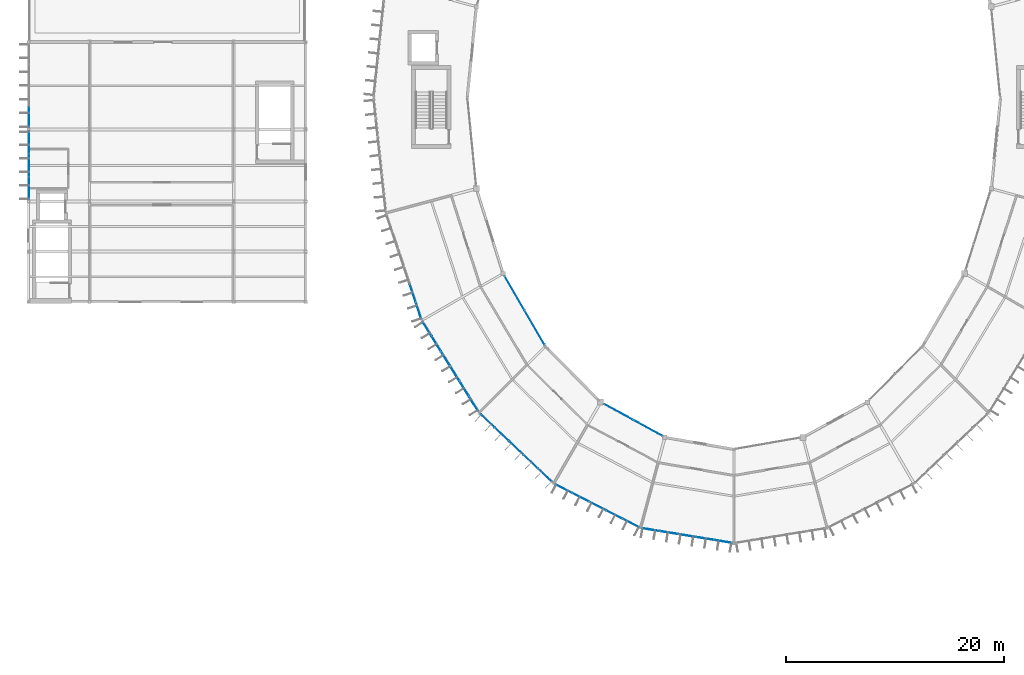
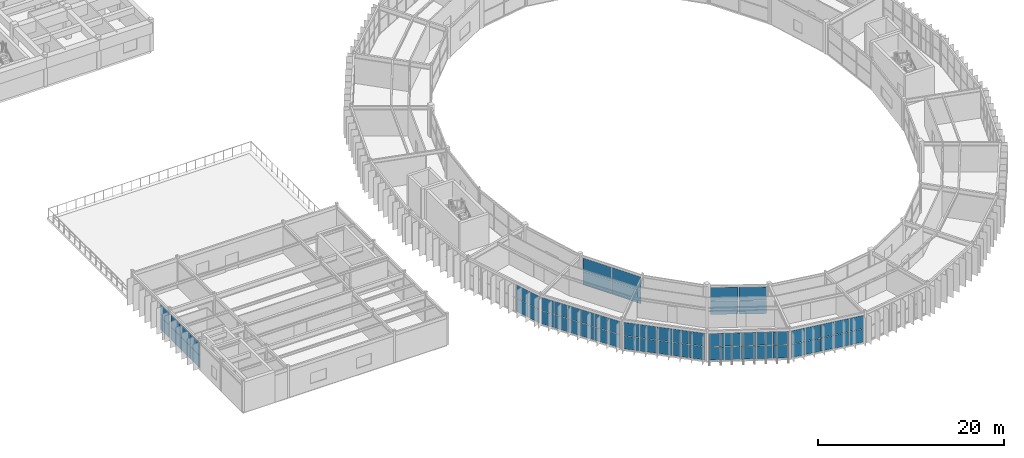
# One storey, part 89 of 130: 62 plates, 9 elements without a shape of their own.
"""IFC4 building model written with IfcOpenShell, lengths in metres."""

from ifc_helpers import new_model, si_unit, direction, frame, origin, origin_2d, place, context, subcontext, project, spatial, rectangle, extrude, material, layer, layer_set, type_object, element, aggregate, save


model = new_model("IFC4")

# Units and contexts
model_context = context("Model", 3, precision=1e-05, world=origin(), true_north=direction((0.0, 1.0)))
body_context = subcontext(model_context, "Body", "Model", "MODEL_VIEW")
ifc_project = project(units=[si_unit("LENGTHUNIT", "METRE"), si_unit("AREAUNIT", "SQUARE_METRE"), si_unit("VOLUMEUNIT", "CUBIC_METRE"), si_unit("PLANEANGLEUNIT", "RADIAN"), si_unit("MASSUNIT", "GRAM", prefix="KILO")], contexts=[model_context])

# Site, building, storey
site_placement = place(None, origin())
site = spatial("IfcSite", under=ifc_project, at=site_placement, CompositionType="ELEMENT")
building_placement = place(site_placement, origin())
building = spatial("IfcBuilding", under=site, at=building_placement, Name="Karori Crest Natural Sciences Institute", CompositionType="ELEMENT")
storey_placement = place(building_placement, frame((0.0, 0.0, 17.5)))
storey = spatial("IfcBuildingStorey", under=building, at=storey_placement, Name="L04", CompositionType="ELEMENT", Elevation=17.5)

# Curtain wall, plates
ifc_material_1 = material(Name="Anodised architectural aluminium 6063-T6", Category="aluminium")
curtain_wall_type_1 = type_object("IfcCurtainWallType", Name="CWT-15", PredefinedType="NOTDEFINED", material=ifc_material_1)
curtain_wall_1_placement = place(storey_placement, origin())
curtain_wall_1 = element("IfcCurtainWall", 1, at=curtain_wall_1_placement, inside=storey, type_object=curtain_wall_type_1, Name="Curtain wall CW-0158", PredefinedType="NOTDEFINED")
ifc_material_2 = material(Name="Double low-E laminated glass", Category="glass")
ifc_layer_1 = layer(ifc_material_2, 0.02392578125, Name="Double low-E laminated glass")
ifc_layer_set_1 = layer_set([ifc_layer_1], Name="Double low-E laminated glass")
plate_type_1 = type_object("IfcPlateType", Name="CWP-01", PredefinedType="CURTAIN_PANEL", material=ifc_layer_set_1)
plate_1_placement = place(storey_placement, frame((46.318115234375, 31.995849609375, 0.06005859375), z_axis=(0.0, 0.0, 1.0), x_axis=(0.502654910341, -0.864487154971, 0.0)))
plate_1 = element("IfcPlate", 2, at=plate_1_placement, type_object=plate_type_1, Name="CW-0158 panel 1.1", PredefinedType="CURTAIN_PANEL", context=body_context, shape_type="SweptSolid", body=[
    extrude(rectangle(XDim=3.585205078125, YDim=0.02392578125, at=origin_2d()), origin(), (0.0, 0.0, 1.0), 1.735107421875),
])
plate_2_placement = place(storey_placement, frame((46.318115234375, 31.995849609375, 1.85498046875), z_axis=(0.0, 0.0, 1.0), x_axis=(0.502654910341, -0.864487154971, 0.0)))
plate_2 = element("IfcPlate", 3, at=plate_2_placement, type_object=plate_type_1, Name="CW-0158 panel 1.2", PredefinedType="CURTAIN_PANEL", context=body_context, shape_type="SweptSolid", body=[
    extrude(rectangle(XDim=3.585205078125, YDim=0.02392578125, at=origin_2d()), origin(), (0.0, 0.0, 1.0), 1.735107421875),
])
plate_3_placement = place(storey_placement, frame((48.15283203125, 28.84033203125, 0.06005859375), z_axis=(0.0, 0.0, 1.0), x_axis=(0.502654910341, -0.864487154971, 0.0)))
plate_3 = element("IfcPlate", 4, at=plate_3_placement, type_object=plate_type_1, Name="CW-0158 panel 2.1", PredefinedType="CURTAIN_PANEL", context=body_context, shape_type="SweptSolid", body=[
    extrude(rectangle(XDim=3.585205078125, YDim=0.02392578125, at=origin_2d()), origin(), (0.0, 0.0, 1.0), 1.735107421875),
])
plate_4_placement = place(storey_placement, frame((48.15283203125, 28.84033203125, 1.85498046875), z_axis=(0.0, 0.0, 1.0), x_axis=(0.502654910341, -0.864487154971, 0.0)))
plate_4 = element("IfcPlate", 5, at=plate_4_placement, type_object=plate_type_1, Name="CW-0158 panel 2.2", PredefinedType="CURTAIN_PANEL", context=body_context, shape_type="SweptSolid", body=[
    extrude(rectangle(XDim=3.585205078125, YDim=0.02392578125, at=origin_2d()), origin(), (0.0, 0.0, 1.0), 1.735107421875),
])
aggregate(curtain_wall_1, [plate_1, plate_2, plate_3, plate_4])

curtain_wall_type_2 = type_object("IfcCurtainWallType", Name="CWT-06", PredefinedType="NOTDEFINED", material=ifc_material_1)
curtain_wall_2_placement = place(storey_placement, origin())
curtain_wall_2 = element("IfcCurtainWall", 6, at=curtain_wall_2_placement, inside=storey, type_object=curtain_wall_type_2, Name="Curtain wall CW-0159", PredefinedType="NOTDEFINED")
plate_5_placement = place(storey_placement, frame((49.1044921875, 15.321044921875, 0.06005859375), z_axis=(0.0, 0.0, 1.0), x_axis=(-0.725471459192, 0.688252251648, 0.0)))
plate_5 = element("IfcPlate", 7, at=plate_5_placement, type_object=plate_type_1, Name="CW-0159 panel 1.1", PredefinedType="CURTAIN_PANEL", context=body_context, shape_type="SweptSolid", body=[
    extrude(rectangle(XDim=1.717041015625, YDim=0.02392578125, at=origin_2d()), origin(), (0.0, 0.0, 1.0), 1.722412109375),
])
plate_6_placement = place(storey_placement, frame((49.1044921875, 15.321044921875, 1.8427734375), z_axis=(0.0, 0.0, 1.0), x_axis=(-0.725471459192, 0.688252251648, 0.0)))
plate_6 = element("IfcPlate", 8, at=plate_6_placement, type_object=plate_type_1, Name="CW-0159 panel 1.2", PredefinedType="CURTAIN_PANEL", context=body_context, shape_type="SweptSolid", body=[
    extrude(rectangle(XDim=1.717041015625, YDim=0.02392578125, at=origin_2d()), origin(), (0.0, 0.0, 1.0), 1.722412109375),
])
plate_7_placement = place(storey_placement, frame((47.799560546875, 16.55859375, 0.06005859375), z_axis=(0.0, 0.0, 1.0), x_axis=(-0.725471459192, 0.688252251648, 0.0)))
plate_7 = element("IfcPlate", 9, at=plate_7_placement, type_object=plate_type_1, Name="CW-0159 panel 2.1", PredefinedType="CURTAIN_PANEL", context=body_context, shape_type="SweptSolid", body=[
    extrude(rectangle(XDim=1.749755859375, YDim=0.02392578125, at=origin_2d()), origin(), (0.0, 0.0, 1.0), 1.722412109375),
])
plate_8_placement = place(storey_placement, frame((47.799560546875, 16.55859375, 1.8427734375), z_axis=(0.0, 0.0, 1.0), x_axis=(-0.725471459192, 0.688252251648, 0.0)))
plate_8 = element("IfcPlate", 10, at=plate_8_placement, type_object=plate_type_1, Name="CW-0159 panel 2.2", PredefinedType="CURTAIN_PANEL", context=body_context, shape_type="SweptSolid", body=[
    extrude(rectangle(XDim=1.749755859375, YDim=0.02392578125, at=origin_2d()), origin(), (0.0, 0.0, 1.0), 1.722412109375),
])
plate_9_placement = place(storey_placement, frame((46.483154296875, 17.8076171875, 0.06005859375), z_axis=(0.0, 0.0, 1.0), x_axis=(-0.725471459192, 0.688252251648, 0.0)))
plate_9 = element("IfcPlate", 11, at=plate_9_placement, type_object=plate_type_1, Name="CW-0159 panel 3.1", PredefinedType="CURTAIN_PANEL", context=body_context, shape_type="SweptSolid", body=[
    extrude(rectangle(XDim=1.749755859375, YDim=0.02392578125, at=origin_2d()), origin(), (0.0, 0.0, 1.0), 1.722412109375),
])
plate_10_placement = place(storey_placement, frame((46.483154296875, 17.8076171875, 1.8427734375), z_axis=(0.0, 0.0, 1.0), x_axis=(-0.725471459192, 0.688252251648, 0.0)))
plate_10 = element("IfcPlate", 12, at=plate_10_placement, type_object=plate_type_1, Name="CW-0159 panel 3.2", PredefinedType="CURTAIN_PANEL", context=body_context, shape_type="SweptSolid", body=[
    extrude(rectangle(XDim=1.749755859375, YDim=0.02392578125, at=origin_2d()), origin(), (0.0, 0.0, 1.0), 1.722412109375),
])
plate_11_placement = place(storey_placement, frame((45.166748046875, 19.056640625, 0.06005859375), z_axis=(0.0, 0.0, 1.0), x_axis=(-0.725471459192, 0.688252251648, 0.0)))
plate_11 = element("IfcPlate", 13, at=plate_11_placement, type_object=plate_type_1, Name="CW-0159 panel 4.1", PredefinedType="CURTAIN_PANEL", context=body_context, shape_type="SweptSolid", body=[
    extrude(rectangle(XDim=1.749755859375, YDim=0.02392578125, at=origin_2d()), origin(), (0.0, 0.0, 1.0), 1.722412109375),
])
plate_12_placement = place(storey_placement, frame((45.166748046875, 19.056640625, 1.8427734375), z_axis=(0.0, 0.0, 1.0), x_axis=(-0.725471459192, 0.688252251648, 0.0)))
plate_12 = element("IfcPlate", 14, at=plate_12_placement, type_object=plate_type_1, Name="CW-0159 panel 4.2", PredefinedType="CURTAIN_PANEL", context=body_context, shape_type="SweptSolid", body=[
    extrude(rectangle(XDim=1.749755859375, YDim=0.02392578125, at=origin_2d()), origin(), (0.0, 0.0, 1.0), 1.722412109375),
])
plate_13_placement = place(storey_placement, frame((43.862060546875, 20.29443359375, 0.06005859375), z_axis=(0.0, 0.0, 1.0), x_axis=(-0.725471459192, 0.688252251648, 0.0)))
plate_13 = element("IfcPlate", 15, at=plate_13_placement, type_object=plate_type_1, Name="CW-0159 panel 5.1", PredefinedType="CURTAIN_PANEL", context=body_context, shape_type="SweptSolid", body=[
    extrude(rectangle(XDim=1.717041015625, YDim=0.02392578125, at=origin_2d()), origin(), (0.0, 0.0, 1.0), 1.722412109375),
])
plate_14_placement = place(storey_placement, frame((43.862060546875, 20.29443359375, 1.8427734375), z_axis=(0.0, 0.0, 1.0), x_axis=(-0.725471459192, 0.688252251648, 0.0)))
plate_14 = element("IfcPlate", 16, at=plate_14_placement, type_object=plate_type_1, Name="CW-0159 panel 5.2", PredefinedType="CURTAIN_PANEL", context=body_context, shape_type="SweptSolid", body=[
    extrude(rectangle(XDim=1.717041015625, YDim=0.02392578125, at=origin_2d()), origin(), (0.0, 0.0, 1.0), 1.722412109375),
])
aggregate(curtain_wall_2, [plate_5, plate_6, plate_7, plate_8, plate_9, plate_10, plate_11, plate_12, plate_13, plate_14])

curtain_wall_type_3 = type_object("IfcCurtainWallType", Name="CWT-12", PredefinedType="NOTDEFINED", material=ifc_material_1)
curtain_wall_3_placement = place(storey_placement, origin())
curtain_wall_3 = element("IfcCurtainWall", 17, at=curtain_wall_3_placement, inside=storey, type_object=curtain_wall_type_3, Name="Curtain wall CW-0161", PredefinedType="NOTDEFINED")
plate_15_placement = place(storey_placement, frame((55.8408203125, 21.116943359375, 0.06005859375), z_axis=(0.0, 0.0, 1.0), x_axis=(0.877470277057, -0.479631017431, 0.0)))
plate_15 = element("IfcPlate", 18, at=plate_15_placement, type_object=plate_type_1, Name="CW-0161 panel 1.1", PredefinedType="CURTAIN_PANEL", context=body_context, shape_type="SweptSolid", body=[
    extrude(rectangle(XDim=2.987060546875, YDim=0.02392578125, at=origin_2d()), origin(), (0.0, 0.0, 1.0), 1.735107421875),
])
plate_16_placement = place(storey_placement, frame((55.8408203125, 21.116943359375, 1.85498046875), z_axis=(0.0, 0.0, 1.0), x_axis=(0.877470277057, -0.479631017431, 0.0)))
plate_16 = element("IfcPlate", 19, at=plate_16_placement, type_object=plate_type_1, Name="CW-0161 panel 1.2", PredefinedType="CURTAIN_PANEL", context=body_context, shape_type="SweptSolid", body=[
    extrude(rectangle(XDim=2.987060546875, YDim=0.02392578125, at=origin_2d()), origin(), (0.0, 0.0, 1.0), 1.735107421875),
])
plate_17_placement = place(storey_placement, frame((58.51904296875, 19.653076171875, 0.06005859375), z_axis=(0.0, 0.0, 1.0), x_axis=(0.877470277057, -0.479631017431, 0.0)))
plate_17 = element("IfcPlate", 20, at=plate_17_placement, type_object=plate_type_1, Name="CW-0161 panel 2.1", PredefinedType="CURTAIN_PANEL", context=body_context, shape_type="SweptSolid", body=[
    extrude(rectangle(XDim=2.987060546875, YDim=0.02392578125, at=origin_2d()), origin(), (0.0, 0.0, 1.0), 1.735107421875),
])
plate_18_placement = place(storey_placement, frame((58.51904296875, 19.653076171875, 1.85498046875), z_axis=(0.0, 0.0, 1.0), x_axis=(0.877470277057, -0.479631017431, 0.0)))
plate_18 = element("IfcPlate", 21, at=plate_18_placement, type_object=plate_type_1, Name="CW-0161 panel 2.2", PredefinedType="CURTAIN_PANEL", context=body_context, shape_type="SweptSolid", body=[
    extrude(rectangle(XDim=2.987060546875, YDim=0.02392578125, at=origin_2d()), origin(), (0.0, 0.0, 1.0), 1.735107421875),
])
aggregate(curtain_wall_3, [plate_15, plate_16, plate_17, plate_18])

curtain_wall_type_4 = type_object("IfcCurtainWallType", Name="CWT-17", PredefinedType="NOTDEFINED", material=ifc_material_1)
curtain_wall_4_placement = place(storey_placement, origin())
curtain_wall_4 = element("IfcCurtainWall", 22, at=curtain_wall_4_placement, inside=storey, type_object=curtain_wall_type_4, Name="Curtain wall CW-0286", PredefinedType="NOTDEFINED")
plate_19_placement = place(storey_placement, frame((1.860107421875, 41.59814453125, 0.06005859375), z_axis=(0.0, 0.0, 1.0), x_axis=(0.0, 1.0, 0.0)))
plate_19 = element("IfcPlate", 23, at=plate_19_placement, type_object=plate_type_1, Name="CW-0286 panel 1.1", PredefinedType="CURTAIN_PANEL", context=body_context, shape_type="SweptSolid", body=[
    extrude(rectangle(XDim=2.0205078125, YDim=0.02392578125, at=origin_2d()), origin(), (0.0, 0.0, 1.0), 1.632568359375),
])
plate_20_placement = place(storey_placement, frame((1.860107421875, 41.59814453125, 1.75244140625), z_axis=(0.0, 0.0, 1.0), x_axis=(0.0, 1.0, 0.0)))
plate_20 = element("IfcPlate", 24, at=plate_20_placement, type_object=plate_type_1, Name="CW-0286 panel 1.2", PredefinedType="CURTAIN_PANEL", context=body_context, shape_type="SweptSolid", body=[
    extrude(rectangle(XDim=2.0205078125, YDim=0.02392578125, at=origin_2d()), origin(), (0.0, 0.0, 1.0), 1.632568359375),
])
plate_21_placement = place(storey_placement, frame((1.860107421875, 43.699951171875, 0.06005859375), z_axis=(0.0, 0.0, 1.0), x_axis=(0.0, 1.0, 0.0)))
plate_21 = element("IfcPlate", 25, at=plate_21_placement, type_object=plate_type_1, Name="CW-0286 panel 2.1", PredefinedType="CURTAIN_PANEL", context=body_context, shape_type="SweptSolid", body=[
    extrude(rectangle(XDim=2.052978515625, YDim=0.02392578125, at=origin_2d()), origin(), (0.0, 0.0, 1.0), 1.632568359375),
])
plate_22_placement = place(storey_placement, frame((1.860107421875, 43.699951171875, 1.75244140625), z_axis=(0.0, 0.0, 1.0), x_axis=(0.0, 1.0, 0.0)))
plate_22 = element("IfcPlate", 26, at=plate_22_placement, type_object=plate_type_1, Name="CW-0286 panel 2.2", PredefinedType="CURTAIN_PANEL", context=body_context, shape_type="SweptSolid", body=[
    extrude(rectangle(XDim=2.052978515625, YDim=0.02392578125, at=origin_2d()), origin(), (0.0, 0.0, 1.0), 1.632568359375),
])
plate_23_placement = place(storey_placement, frame((1.860107421875, 45.8017578125, 0.06005859375), z_axis=(0.0, 0.0, 1.0), x_axis=(0.0, 1.0, 0.0)))
plate_23 = element("IfcPlate", 27, at=plate_23_placement, type_object=plate_type_1, Name="CW-0286 panel 3.1", PredefinedType="CURTAIN_PANEL", context=body_context, shape_type="SweptSolid", body=[
    extrude(rectangle(XDim=2.0205078125, YDim=0.02392578125, at=origin_2d()), origin(), (0.0, 0.0, 1.0), 1.632568359375),
])
plate_24_placement = place(storey_placement, frame((1.860107421875, 45.8017578125, 1.75244140625), z_axis=(0.0, 0.0, 1.0), x_axis=(0.0, 1.0, 0.0)))
plate_24 = element("IfcPlate", 28, at=plate_24_placement, type_object=plate_type_1, Name="CW-0286 panel 3.2", PredefinedType="CURTAIN_PANEL", context=body_context, shape_type="SweptSolid", body=[
    extrude(rectangle(XDim=2.0205078125, YDim=0.02392578125, at=origin_2d()), origin(), (0.0, 0.0, 1.0), 1.632568359375),
])
aggregate(curtain_wall_4, [plate_19, plate_20, plate_21, plate_22, plate_23, plate_24])

curtain_wall_5_placement = place(storey_placement, origin())
curtain_wall_5 = element("IfcCurtainWall", 29, at=curtain_wall_5_placement, inside=storey, type_object=curtain_wall_type_4, Name="Curtain wall CW-0287", PredefinedType="NOTDEFINED")
plate_25_placement = place(storey_placement, frame((1.860107421875, 48.1083984375, 0.06005859375), z_axis=(0.0, 0.0, 1.0), x_axis=(0.0, 1.0, 0.0)))
plate_25 = element("IfcPlate", 30, at=plate_25_placement, type_object=plate_type_1, Name="CW-0287 panel 1.1", PredefinedType="CURTAIN_PANEL", context=body_context, shape_type="SweptSolid", body=[
    extrude(rectangle(XDim=1.841064453125, YDim=0.02392578125, at=origin_2d()), origin(), (0.0, 0.0, 1.0), 1.632568359375),
])
plate_26_placement = place(storey_placement, frame((1.860107421875, 48.1083984375, 1.75244140625), z_axis=(0.0, 0.0, 1.0), x_axis=(0.0, 1.0, 0.0)))
plate_26 = element("IfcPlate", 31, at=plate_26_placement, type_object=plate_type_1, Name="CW-0287 panel 1.2", PredefinedType="CURTAIN_PANEL", context=body_context, shape_type="SweptSolid", body=[
    extrude(rectangle(XDim=1.841064453125, YDim=0.02392578125, at=origin_2d()), origin(), (0.0, 0.0, 1.0), 1.632568359375),
])
aggregate(curtain_wall_5, [plate_25, plate_26])

curtain_wall_type_5 = type_object("IfcCurtainWallType", Name="CWT-04", PredefinedType="NOTDEFINED", material=ifc_material_1)
curtain_wall_6_placement = place(storey_placement, origin())
curtain_wall_6 = element("IfcCurtainWall", 32, at=curtain_wall_6_placement, inside=storey, type_object=curtain_wall_type_5, Name="Curtain wall CW-0156", PredefinedType="NOTDEFINED")
ifc_layer_2 = layer(ifc_material_2, 0.033935546875, Name="Double low-E laminated glass")
ifc_layer_set_2 = layer_set([ifc_layer_2], Name="Double low-E laminated glass")
plate_type_2 = type_object("IfcPlateType", Name="CWP-02", PredefinedType="CURTAIN_PANEL", material=ifc_layer_set_2)
plate_27_placement = place(storey_placement, frame((37.5205078125, 30.3974609375, 0.06005859375), z_axis=(0.0, 0.0, 1.0), x_axis=(-0.317679803392, 0.94819805026, 0.0)))
plate_27 = element("IfcPlate", 33, at=plate_27_placement, type_object=plate_type_2, Name="CW-0156 panel 1.1", PredefinedType="CURTAIN_PANEL", context=body_context, shape_type="SweptSolid", body=[
    extrude(rectangle(XDim=1.59619140625, YDim=0.033935546875, at=origin_2d()), origin(), (0.0, 0.0, 1.0), 1.722412109375),
])
plate_28_placement = place(storey_placement, frame((37.5205078125, 30.3974609375, 1.8427734375), z_axis=(0.0, 0.0, 1.0), x_axis=(-0.317679803392, 0.94819805026, 0.0)))
plate_28 = element("IfcPlate", 34, at=plate_28_placement, type_object=plate_type_2, Name="CW-0156 panel 1.2", PredefinedType="CURTAIN_PANEL", context=body_context, shape_type="SweptSolid", body=[
    extrude(rectangle(XDim=1.59619140625, YDim=0.033935546875, at=origin_2d()), origin(), (0.0, 0.0, 1.0), 1.722412109375),
])
plate_29_placement = place(storey_placement, frame((36.987548828125, 31.988037109375, 0.06005859375), z_axis=(0.0, 0.0, 1.0), x_axis=(-0.317679803392, 0.94819805026, 0.0)))
plate_29 = element("IfcPlate", 35, at=plate_29_placement, type_object=plate_type_2, Name="CW-0156 panel 2.1", PredefinedType="CURTAIN_PANEL", context=body_context, shape_type="SweptSolid", body=[
    extrude(rectangle(XDim=1.628662109375, YDim=0.033935546875, at=origin_2d()), origin(), (0.0, 0.0, 1.0), 1.722412109375),
])
plate_30_placement = place(storey_placement, frame((36.987548828125, 31.988037109375, 1.8427734375), z_axis=(0.0, 0.0, 1.0), x_axis=(-0.317679803392, 0.94819805026, 0.0)))
plate_30 = element("IfcPlate", 36, at=plate_30_placement, type_object=plate_type_2, Name="CW-0156 panel 2.2", PredefinedType="CURTAIN_PANEL", context=body_context, shape_type="SweptSolid", body=[
    extrude(rectangle(XDim=1.628662109375, YDim=0.033935546875, at=origin_2d()), origin(), (0.0, 0.0, 1.0), 1.722412109375),
])
aggregate(curtain_wall_6, [plate_27, plate_28, plate_29, plate_30])

curtain_wall_type_6 = type_object("IfcCurtainWallType", Name="CWT-07", PredefinedType="NOTDEFINED", material=ifc_material_1)
curtain_wall_7_placement = place(storey_placement, origin())
curtain_wall_7 = element("IfcCurtainWall", 37, at=curtain_wall_7_placement, inside=storey, type_object=curtain_wall_type_6, Name="Curtain wall CW-0160", PredefinedType="NOTDEFINED")
plate_31_placement = place(storey_placement, frame((56.993408203125, 10.933349609375, 0.06494140625), z_axis=(0.0, 0.0, 1.0), x_axis=(-0.890067432138, 0.455828878252, 0.0)))
plate_31 = element("IfcPlate", 38, at=plate_31_placement, type_object=plate_type_2, Name="CW-0160 panel 1.1", PredefinedType="CURTAIN_PANEL", context=body_context, shape_type="SweptSolid", body=[
    extrude(rectangle(XDim=1.645751953125, YDim=0.033935546875, at=origin_2d()), origin(), (0.0, 0.0, 1.0), 1.715087890625),
])
plate_32_placement = place(storey_placement, frame((56.993408203125, 10.933349609375, 1.8447265625), z_axis=(0.0, 0.0, 1.0), x_axis=(-0.890067432138, 0.455828878252, 0.0)))
plate_32 = element("IfcPlate", 39, at=plate_32_placement, type_object=plate_type_2, Name="CW-0160 panel 1.2", PredefinedType="CURTAIN_PANEL", context=body_context, shape_type="SweptSolid", body=[
    extrude(rectangle(XDim=1.645751953125, YDim=0.033935546875, at=origin_2d()), origin(), (0.0, 0.0, 1.0), 1.715087890625),
])
plate_33_placement = place(storey_placement, frame((55.456298828125, 11.720703125, 0.06494140625), z_axis=(0.0, 0.0, 1.0), x_axis=(-0.890067432138, 0.455828878252, 0.0)))
plate_33 = element("IfcPlate", 40, at=plate_33_placement, type_object=plate_type_2, Name="CW-0160 panel 2.1", PredefinedType="CURTAIN_PANEL", context=body_context, shape_type="SweptSolid", body=[
    extrude(rectangle(XDim=1.678466796875, YDim=0.033935546875, at=origin_2d()), origin(), (0.0, 0.0, 1.0), 1.715087890625),
])
plate_34_placement = place(storey_placement, frame((55.456298828125, 11.720703125, 1.8447265625), z_axis=(0.0, 0.0, 1.0), x_axis=(-0.890067432138, 0.455828878252, 0.0)))
plate_34 = element("IfcPlate", 41, at=plate_34_placement, type_object=plate_type_2, Name="CW-0160 panel 2.2", PredefinedType="CURTAIN_PANEL", context=body_context, shape_type="SweptSolid", body=[
    extrude(rectangle(XDim=1.678466796875, YDim=0.033935546875, at=origin_2d()), origin(), (0.0, 0.0, 1.0), 1.715087890625),
])
plate_35_placement = place(storey_placement, frame((53.904541015625, 12.515380859375, 0.06494140625), z_axis=(0.0, 0.0, 1.0), x_axis=(-0.890067432138, 0.455828878252, 0.0)))
plate_35 = element("IfcPlate", 42, at=plate_35_placement, type_object=plate_type_2, Name="CW-0160 panel 3.1", PredefinedType="CURTAIN_PANEL", context=body_context, shape_type="SweptSolid", body=[
    extrude(rectangle(XDim=1.678466796875, YDim=0.033935546875, at=origin_2d()), origin(), (0.0, 0.0, 1.0), 1.715087890625),
])
plate_36_placement = place(storey_placement, frame((53.904541015625, 12.515380859375, 1.8447265625), z_axis=(0.0, 0.0, 1.0), x_axis=(-0.890067432138, 0.455828878252, 0.0)))
plate_36 = element("IfcPlate", 43, at=plate_36_placement, type_object=plate_type_2, Name="CW-0160 panel 3.2", PredefinedType="CURTAIN_PANEL", context=body_context, shape_type="SweptSolid", body=[
    extrude(rectangle(XDim=1.678466796875, YDim=0.033935546875, at=origin_2d()), origin(), (0.0, 0.0, 1.0), 1.715087890625),
])
plate_37_placement = place(storey_placement, frame((52.352783203125, 13.31005859375, 0.06494140625), z_axis=(0.0, 0.0, 1.0), x_axis=(-0.890067432138, 0.455828878252, 0.0)))
plate_37 = element("IfcPlate", 44, at=plate_37_placement, type_object=plate_type_2, Name="CW-0160 panel 4.1", PredefinedType="CURTAIN_PANEL", context=body_context, shape_type="SweptSolid", body=[
    extrude(rectangle(XDim=1.678466796875, YDim=0.033935546875, at=origin_2d()), origin(), (0.0, 0.0, 1.0), 1.715087890625),
])
plate_38_placement = place(storey_placement, frame((52.352783203125, 13.31005859375, 1.8447265625), z_axis=(0.0, 0.0, 1.0), x_axis=(-0.890067432138, 0.455828878252, 0.0)))
plate_38 = element("IfcPlate", 45, at=plate_38_placement, type_object=plate_type_2, Name="CW-0160 panel 4.2", PredefinedType="CURTAIN_PANEL", context=body_context, shape_type="SweptSolid", body=[
    extrude(rectangle(XDim=1.678466796875, YDim=0.033935546875, at=origin_2d()), origin(), (0.0, 0.0, 1.0), 1.715087890625),
])
plate_39_placement = place(storey_placement, frame((50.8154296875, 14.097412109375, 0.06494140625), z_axis=(0.0, 0.0, 1.0), x_axis=(-0.890067432138, 0.455828878252, 0.0)))
plate_39 = element("IfcPlate", 46, at=plate_39_placement, type_object=plate_type_2, Name="CW-0160 panel 5.1", PredefinedType="CURTAIN_PANEL", context=body_context, shape_type="SweptSolid", body=[
    extrude(rectangle(XDim=1.645751953125, YDim=0.033935546875, at=origin_2d()), origin(), (0.0, 0.0, 1.0), 1.715087890625),
])
plate_40_placement = place(storey_placement, frame((50.8154296875, 14.097412109375, 1.8447265625), z_axis=(0.0, 0.0, 1.0), x_axis=(-0.890067432138, 0.455828878252, 0.0)))
plate_40 = element("IfcPlate", 47, at=plate_40_placement, type_object=plate_type_2, Name="CW-0160 panel 5.2", PredefinedType="CURTAIN_PANEL", context=body_context, shape_type="SweptSolid", body=[
    extrude(rectangle(XDim=1.645751953125, YDim=0.033935546875, at=origin_2d()), origin(), (0.0, 0.0, 1.0), 1.715087890625),
])
aggregate(curtain_wall_7, [plate_31, plate_32, plate_33, plate_34, plate_35, plate_36, plate_37, plate_38, plate_39, plate_40])

curtain_wall_type_7 = type_object("IfcCurtainWallType", Name="CWT-05", PredefinedType="NOTDEFINED", material=ifc_material_1)
curtain_wall_8_placement = place(storey_placement, origin())
curtain_wall_8 = element("IfcCurtainWall", 48, at=curtain_wall_8_placement, inside=storey, type_object=curtain_wall_type_7, Name="Curtain wall CW-0157", PredefinedType="NOTDEFINED")
ifc_layer_3 = layer(ifc_material_2, 0.0439453125, Name="Double low-E laminated glass")
ifc_layer_set_3 = layer_set([ifc_layer_3], Name="Double low-E laminated glass")
plate_type_3 = type_object("IfcPlateType", Name="CWP-03", PredefinedType="CURTAIN_PANEL", material=ifc_layer_set_3)
plate_41_placement = place(storey_placement, frame((42.551025390625, 21.87890625, 0.06494140625), z_axis=(0.0, 0.0, 1.0), x_axis=(-0.527327706489, 0.849661985715, 0.0)))
plate_41 = element("IfcPlate", 49, at=plate_41_placement, type_object=plate_type_3, Name="CW-0157 panel 1.1", PredefinedType="CURTAIN_PANEL", context=body_context, shape_type="SweptSolid", body=[
    extrude(rectangle(XDim=1.519287109375, YDim=0.0439453125, at=origin_2d()), origin(), (0.0, 0.0, 1.0), 1.715087890625),
])
plate_42_placement = place(storey_placement, frame((42.551025390625, 21.87890625, 1.8447265625), z_axis=(0.0, 0.0, 1.0), x_axis=(-0.527327706489, 0.849661985715, 0.0)))
plate_42 = element("IfcPlate", 50, at=plate_42_placement, type_object=plate_type_3, Name="CW-0157 panel 1.2", PredefinedType="CURTAIN_PANEL", context=body_context, shape_type="SweptSolid", body=[
    extrude(rectangle(XDim=1.519287109375, YDim=0.0439453125, at=origin_2d()), origin(), (0.0, 0.0, 1.0), 1.715087890625),
])
plate_43_placement = place(storey_placement, frame((41.70703125, 23.239013671875, 0.06494140625), z_axis=(0.0, 0.0, 1.0), x_axis=(-0.527327706489, 0.849661985715, 0.0)))
plate_43 = element("IfcPlate", 51, at=plate_43_placement, type_object=plate_type_3, Name="CW-0157 panel 2.1", PredefinedType="CURTAIN_PANEL", context=body_context, shape_type="SweptSolid", body=[
    extrude(rectangle(XDim=1.5517578125, YDim=0.0439453125, at=origin_2d()), origin(), (0.0, 0.0, 1.0), 1.715087890625),
])
plate_44_placement = place(storey_placement, frame((41.70703125, 23.239013671875, 1.8447265625), z_axis=(0.0, 0.0, 1.0), x_axis=(-0.527327706489, 0.849661985715, 0.0)))
plate_44 = element("IfcPlate", 52, at=plate_44_placement, type_object=plate_type_3, Name="CW-0157 panel 2.2", PredefinedType="CURTAIN_PANEL", context=body_context, shape_type="SweptSolid", body=[
    extrude(rectangle(XDim=1.5517578125, YDim=0.0439453125, at=origin_2d()), origin(), (0.0, 0.0, 1.0), 1.715087890625),
])
plate_45_placement = place(storey_placement, frame((40.8544921875, 24.612548828125, 0.06494140625), z_axis=(0.0, 0.0, 1.0), x_axis=(-0.527327706489, 0.849661985715, 0.0)))
plate_45 = element("IfcPlate", 53, at=plate_45_placement, type_object=plate_type_3, Name="CW-0157 panel 3.1", PredefinedType="CURTAIN_PANEL", context=body_context, shape_type="SweptSolid", body=[
    extrude(rectangle(XDim=1.5517578125, YDim=0.0439453125, at=origin_2d()), origin(), (0.0, 0.0, 1.0), 1.715087890625),
])
plate_46_placement = place(storey_placement, frame((40.8544921875, 24.612548828125, 1.8447265625), z_axis=(0.0, 0.0, 1.0), x_axis=(-0.527327706489, 0.849661985715, 0.0)))
plate_46 = element("IfcPlate", 54, at=plate_46_placement, type_object=plate_type_3, Name="CW-0157 panel 3.2", PredefinedType="CURTAIN_PANEL", context=body_context, shape_type="SweptSolid", body=[
    extrude(rectangle(XDim=1.5517578125, YDim=0.0439453125, at=origin_2d()), origin(), (0.0, 0.0, 1.0), 1.715087890625),
])
plate_47_placement = place(storey_placement, frame((40.001953125, 25.986328125, 0.06494140625), z_axis=(0.0, 0.0, 1.0), x_axis=(-0.527327706489, 0.849661985715, 0.0)))
plate_47 = element("IfcPlate", 55, at=plate_47_placement, type_object=plate_type_3, Name="CW-0157 panel 4.1", PredefinedType="CURTAIN_PANEL", context=body_context, shape_type="SweptSolid", body=[
    extrude(rectangle(XDim=1.5517578125, YDim=0.0439453125, at=origin_2d()), origin(), (0.0, 0.0, 1.0), 1.715087890625),
])
plate_48_placement = place(storey_placement, frame((40.001953125, 25.986328125, 1.8447265625), z_axis=(0.0, 0.0, 1.0), x_axis=(-0.527327706489, 0.849661985715, 0.0)))
plate_48 = element("IfcPlate", 56, at=plate_48_placement, type_object=plate_type_3, Name="CW-0157 panel 4.2", PredefinedType="CURTAIN_PANEL", context=body_context, shape_type="SweptSolid", body=[
    extrude(rectangle(XDim=1.5517578125, YDim=0.0439453125, at=origin_2d()), origin(), (0.0, 0.0, 1.0), 1.715087890625),
])
plate_49_placement = place(storey_placement, frame((39.149169921875, 27.360107421875, 0.06494140625), z_axis=(0.0, 0.0, 1.0), x_axis=(-0.527327706489, 0.849661985715, 0.0)))
plate_49 = element("IfcPlate", 57, at=plate_49_placement, type_object=plate_type_3, Name="CW-0157 panel 5.1", PredefinedType="CURTAIN_PANEL", context=body_context, shape_type="SweptSolid", body=[
    extrude(rectangle(XDim=1.5517578125, YDim=0.0439453125, at=origin_2d()), origin(), (0.0, 0.0, 1.0), 1.715087890625),
])
plate_50_placement = place(storey_placement, frame((39.149169921875, 27.360107421875, 1.8447265625), z_axis=(0.0, 0.0, 1.0), x_axis=(-0.527327706489, 0.849661985715, 0.0)))
plate_50 = element("IfcPlate", 58, at=plate_50_placement, type_object=plate_type_3, Name="CW-0157 panel 5.2", PredefinedType="CURTAIN_PANEL", context=body_context, shape_type="SweptSolid", body=[
    extrude(rectangle(XDim=1.5517578125, YDim=0.0439453125, at=origin_2d()), origin(), (0.0, 0.0, 1.0), 1.715087890625),
])
plate_51_placement = place(storey_placement, frame((38.30517578125, 28.719970703125, 0.06494140625), z_axis=(0.0, 0.0, 1.0), x_axis=(-0.527327706489, 0.849661985715, 0.0)))
plate_51 = element("IfcPlate", 59, at=plate_51_placement, type_object=plate_type_3, Name="CW-0157 panel 6.1", PredefinedType="CURTAIN_PANEL", context=body_context, shape_type="SweptSolid", body=[
    extrude(rectangle(XDim=1.519287109375, YDim=0.0439453125, at=origin_2d()), origin(), (0.0, 0.0, 1.0), 1.715087890625),
])
plate_52_placement = place(storey_placement, frame((38.30517578125, 28.719970703125, 1.8447265625), z_axis=(0.0, 0.0, 1.0), x_axis=(-0.527327706489, 0.849661985715, 0.0)))
plate_52 = element("IfcPlate", 60, at=plate_52_placement, type_object=plate_type_3, Name="CW-0157 panel 6.2", PredefinedType="CURTAIN_PANEL", context=body_context, shape_type="SweptSolid", body=[
    extrude(rectangle(XDim=1.519287109375, YDim=0.0439453125, at=origin_2d()), origin(), (0.0, 0.0, 1.0), 1.715087890625),
])
aggregate(curtain_wall_8, [plate_41, plate_42, plate_43, plate_44, plate_45, plate_46, plate_47, plate_48, plate_49, plate_50, plate_51, plate_52])

curtain_wall_type_8 = type_object("IfcCurtainWallType", Name="CWT-08", PredefinedType="NOTDEFINED", material=ifc_material_1)
curtain_wall_9_placement = place(storey_placement, origin())
curtain_wall_9 = element("IfcCurtainWall", 61, at=curtain_wall_9_placement, inside=storey, type_object=curtain_wall_type_8, Name="Curtain wall CW-0162", PredefinedType="NOTDEFINED")
plate_53_placement = place(storey_placement, frame((65.424072265625, 9.2587890625, 0.06005859375), z_axis=(0.0, 0.0, 1.0), x_axis=(-0.987010543275, 0.160655493101, 0.0)))
plate_53 = element("IfcPlate", 62, at=plate_53_placement, type_object=plate_type_3, Name="CW-0162 panel 1.1", PredefinedType="CURTAIN_PANEL", context=body_context, shape_type="SweptSolid", body=[
    extrude(rectangle(XDim=1.592529296875, YDim=0.0439453125, at=origin_2d()), origin(), (0.0, 0.0, 1.0), 1.722412109375),
])
plate_54_placement = place(storey_placement, frame((65.424072265625, 9.2587890625, 1.8427734375), z_axis=(0.0, 0.0, 1.0), x_axis=(-0.987010543275, 0.160655493101, 0.0)))
plate_54 = element("IfcPlate", 63, at=plate_54_placement, type_object=plate_type_3, Name="CW-0162 panel 1.2", PredefinedType="CURTAIN_PANEL", context=body_context, shape_type="SweptSolid", body=[
    extrude(rectangle(XDim=1.592529296875, YDim=0.0439453125, at=origin_2d()), origin(), (0.0, 0.0, 1.0), 1.722412109375),
])
plate_55_placement = place(storey_placement, frame((63.77197265625, 9.52783203125, 0.06005859375), z_axis=(0.0, 0.0, 1.0), x_axis=(-0.987010543275, 0.160655493101, 0.0)))
plate_55 = element("IfcPlate", 64, at=plate_55_placement, type_object=plate_type_3, Name="CW-0162 panel 2.1", PredefinedType="CURTAIN_PANEL", context=body_context, shape_type="SweptSolid", body=[
    extrude(rectangle(XDim=1.625, YDim=0.0439453125, at=origin_2d()), origin(), (0.0, 0.0, 1.0), 1.722412109375),
])
plate_56_placement = place(storey_placement, frame((63.77197265625, 9.52783203125, 1.8427734375), z_axis=(0.0, 0.0, 1.0), x_axis=(-0.987010543275, 0.160655493101, 0.0)))
plate_56 = element("IfcPlate", 65, at=plate_56_placement, type_object=plate_type_3, Name="CW-0162 panel 2.2", PredefinedType="CURTAIN_PANEL", context=body_context, shape_type="SweptSolid", body=[
    extrude(rectangle(XDim=1.625, YDim=0.0439453125, at=origin_2d()), origin(), (0.0, 0.0, 1.0), 1.722412109375),
])
plate_57_placement = place(storey_placement, frame((62.10400390625, 9.79931640625, 0.06005859375), z_axis=(0.0, 0.0, 1.0), x_axis=(-0.987010543275, 0.160655493101, 0.0)))
plate_57 = element("IfcPlate", 66, at=plate_57_placement, type_object=plate_type_3, Name="CW-0162 panel 3.1", PredefinedType="CURTAIN_PANEL", context=body_context, shape_type="SweptSolid", body=[
    extrude(rectangle(XDim=1.625, YDim=0.0439453125, at=origin_2d()), origin(), (0.0, 0.0, 1.0), 1.722412109375),
])
plate_58_placement = place(storey_placement, frame((62.10400390625, 9.79931640625, 1.8427734375), z_axis=(0.0, 0.0, 1.0), x_axis=(-0.987010543275, 0.160655493101, 0.0)))
plate_58 = element("IfcPlate", 67, at=plate_58_placement, type_object=plate_type_3, Name="CW-0162 panel 3.2", PredefinedType="CURTAIN_PANEL", context=body_context, shape_type="SweptSolid", body=[
    extrude(rectangle(XDim=1.625, YDim=0.0439453125, at=origin_2d()), origin(), (0.0, 0.0, 1.0), 1.722412109375),
])
plate_59_placement = place(storey_placement, frame((60.43603515625, 10.07080078125, 0.06005859375), z_axis=(0.0, 0.0, 1.0), x_axis=(-0.987010543275, 0.160655493101, 0.0)))
plate_59 = element("IfcPlate", 68, at=plate_59_placement, type_object=plate_type_3, Name="CW-0162 panel 4.1", PredefinedType="CURTAIN_PANEL", context=body_context, shape_type="SweptSolid", body=[
    extrude(rectangle(XDim=1.625, YDim=0.0439453125, at=origin_2d()), origin(), (0.0, 0.0, 1.0), 1.722412109375),
])
plate_60_placement = place(storey_placement, frame((60.43603515625, 10.07080078125, 1.8427734375), z_axis=(0.0, 0.0, 1.0), x_axis=(-0.987010543275, 0.160655493101, 0.0)))
plate_60 = element("IfcPlate", 69, at=plate_60_placement, type_object=plate_type_3, Name="CW-0162 panel 4.2", PredefinedType="CURTAIN_PANEL", context=body_context, shape_type="SweptSolid", body=[
    extrude(rectangle(XDim=1.625, YDim=0.0439453125, at=origin_2d()), origin(), (0.0, 0.0, 1.0), 1.722412109375),
])
plate_61_placement = place(storey_placement, frame((58.783935546875, 10.339599609375, 0.06005859375), z_axis=(0.0, 0.0, 1.0), x_axis=(-0.987010543275, 0.160655493101, 0.0)))
plate_61 = element("IfcPlate", 70, at=plate_61_placement, type_object=plate_type_3, Name="CW-0162 panel 5.1", PredefinedType="CURTAIN_PANEL", context=body_context, shape_type="SweptSolid", body=[
    extrude(rectangle(XDim=1.592529296875, YDim=0.0439453125, at=origin_2d()), origin(), (0.0, 0.0, 1.0), 1.722412109375),
])
plate_62_placement = place(storey_placement, frame((58.783935546875, 10.339599609375, 1.8427734375), z_axis=(0.0, 0.0, 1.0), x_axis=(-0.987010543275, 0.160655493101, 0.0)))
plate_62 = element("IfcPlate", 71, at=plate_62_placement, type_object=plate_type_3, Name="CW-0162 panel 5.2", PredefinedType="CURTAIN_PANEL", context=body_context, shape_type="SweptSolid", body=[
    extrude(rectangle(XDim=1.592529296875, YDim=0.0439453125, at=origin_2d()), origin(), (0.0, 0.0, 1.0), 1.722412109375),
])
aggregate(curtain_wall_9, [plate_53, plate_54, plate_55, plate_56, plate_57, plate_58, plate_59, plate_60, plate_61, plate_62])

save(model, "model.ifc")
